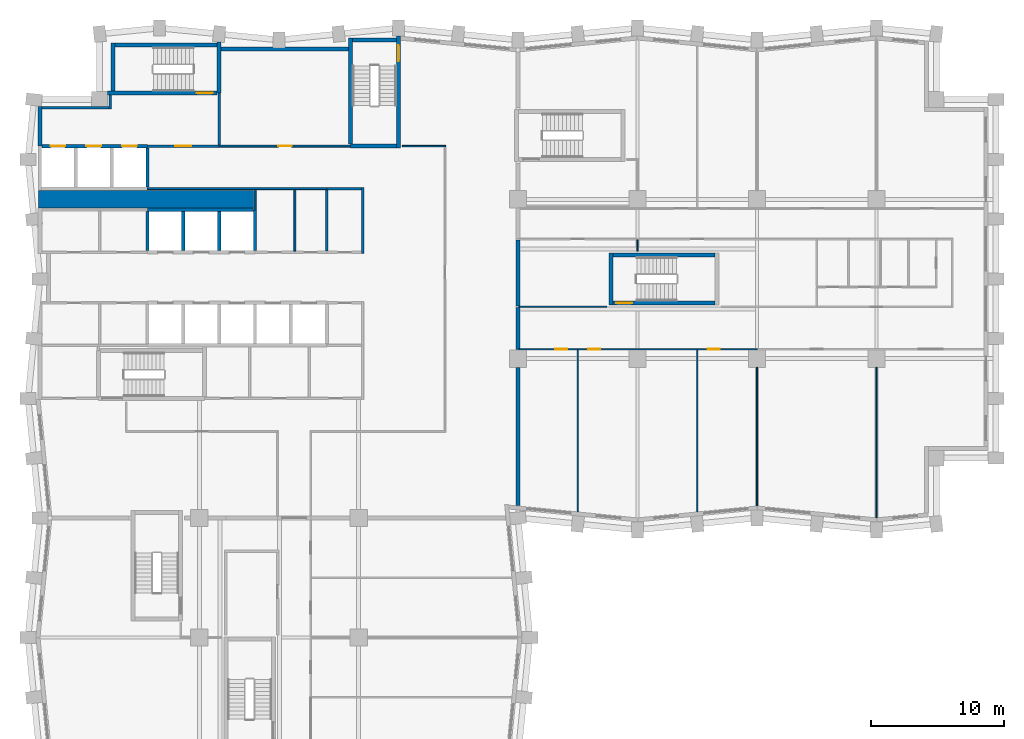
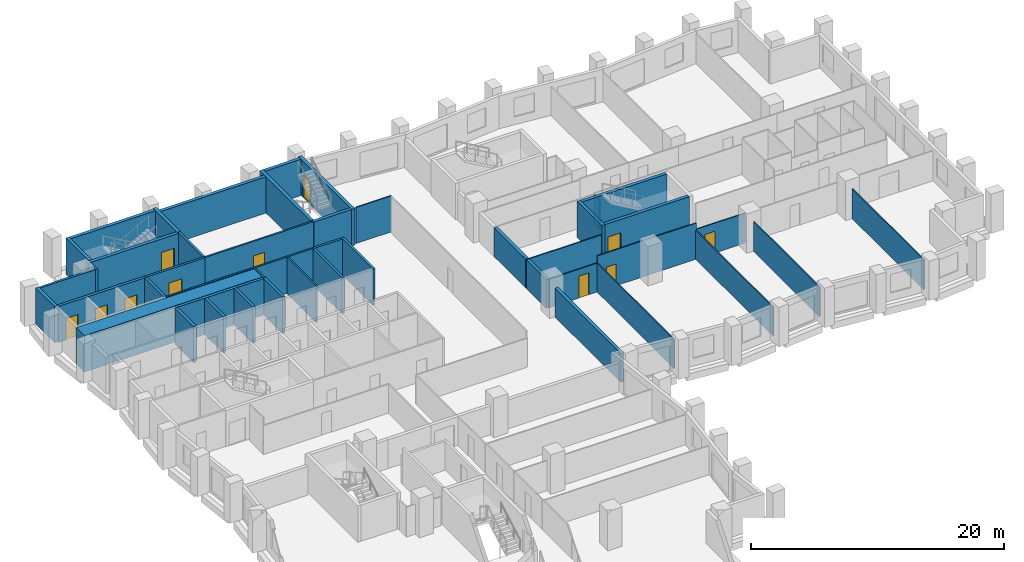
# One storey, part 6 of 11: 45 walls, 11 doors, 11 openings.
"""IFC4 building model written with IfcOpenShell, lengths in metres."""

from ifc_helpers import new_model, si_unit, direction, frame, frame_2d, origin, place, context, subcontext, project, spatial, rectangle, extrude, material, layer, layer_set, type_object, element, fill, save


model = new_model("IFC4")

# Units and contexts
model_context = context("Model", 3, precision=1e-05, world=origin(), true_north=direction((0.0, 1.0)))
body_context = subcontext(model_context, "Body", "Model", "MODEL_VIEW")
ifc_project = project(units=[si_unit("LENGTHUNIT", "METRE"), si_unit("AREAUNIT", "SQUARE_METRE"), si_unit("VOLUMEUNIT", "CUBIC_METRE"), si_unit("PLANEANGLEUNIT", "RADIAN"), si_unit("MASSUNIT", "GRAM", prefix="KILO")], contexts=[model_context])

# Site, building, storey
site_placement = place(None, origin())
site = spatial("IfcSite", under=ifc_project, at=site_placement, CompositionType="ELEMENT")
building_placement = place(site_placement, origin())
building = spatial("IfcBuilding", under=site, at=building_placement, Name="Brondeck Convention Tower", CompositionType="ELEMENT")
storey_placement = place(building_placement, frame((0.0, 0.0, 122.699951171875)))
storey = spatial("IfcBuildingStorey", under=building, at=storey_placement, Name="L29", CompositionType="ELEMENT", Elevation=122.699951171875)

# Walls
ifc_material_1 = material(Name="Concrete compartment wall C30/37", Category="concrete")
ifc_layer_1 = layer(ifc_material_1, 0.300048828125)
ifc_layer_set_1 = layer_set([ifc_layer_1], Name="Compartment wall 300")
wall_type_1 = type_object("IfcWallType", Name="Compartment wall 300", PredefinedType="PARTITIONING", material=ifc_layer_set_1)
wall_1_placement = place(storey_placement, frame((36.0, 27.924560546875, 0.0), z_axis=(0.0, 0.0, 1.0), x_axis=(0.0, 1.0, 0.0)))
element("IfcWall", 1, at=wall_1_placement, inside=storey, type_object=wall_type_1, Name="FLR-L29-W026", PredefinedType="PARTITIONING", context=body_context, shape_type="SweptSolid", body=[
    extrude(rectangle(XDim=10.42041015625, YDim=0.300048828125, at=frame_2d((5.210205078125, 0.0))), origin(), (0.0, 0.0, 1.0), 2.780029296875),
])
wall_2_placement = place(storey_placement, frame((36.0, 39.669921875, 0.0), z_axis=(0.0, 0.0, 1.0), x_axis=(0.0, 1.0, 0.0)))
element("IfcWall", 2, at=wall_2_placement, inside=storey, type_object=wall_type_1, Name="FLR-L29-W040", PredefinedType="PARTITIONING", context=body_context, shape_type="SweptSolid", body=[
    extrude(rectangle(XDim=3.18017578125, YDim=0.300048828125, at=frame_2d((1.590087890625, 0.0))), origin(), (0.0, 0.0, 1.0), 2.780029296875),
])
wall_3_placement = place(storey_placement, frame((36.0, 42.949951171875, 0.0), z_axis=(0.0, 0.0, 1.0), x_axis=(0.0, 1.0, 0.0)))
element("IfcWall", 3, at=wall_3_placement, inside=storey, type_object=wall_type_1, Name="FLR-L29-W044", PredefinedType="PARTITIONING", context=body_context, shape_type="SweptSolid", body=[
    extrude(rectangle(XDim=5.0, YDim=0.300048828125, at=frame_2d((2.5, 0.0))), origin(), (0.0, 0.0, 1.0), 2.780029296875),
])
ifc_material_2 = material(Name="Concrete C70/85", Category="concrete")
ifc_layer_2 = layer(ifc_material_2, 0.199951171875)
ifc_layer_set_2 = layer_set([ifc_layer_2], Name="Core beam-seat wall 200 Concrete C70/85")
wall_type_2 = type_object("IfcWallType", Name="Core beam-seat wall 200 Concrete C70/85", PredefinedType="SHEAR", material=ifc_layer_set_2)
wall_4_placement = place(storey_placement, frame((24.300048828125, 46.89990234375, 0.0), z_axis=(0.0, 0.0, 1.0), x_axis=(0.0, 1.0, 0.0)))
element("IfcWall", 4, at=wall_4_placement, inside=storey, type_object=wall_type_2, Name="L29 core wall", PredefinedType="SHEAR", context=body_context, shape_type="SweptSolid", body=[
    extrude(rectangle(XDim=5.0, YDim=0.199951171875, at=frame_2d((2.5, 0.0))), origin(), (0.0, 0.0, 1.0), 3.5),
])
ifc_layer_3 = layer(ifc_material_2, 0.300048828125)
ifc_layer_set_3 = layer_set([ifc_layer_3], Name="Core outer wall 300 Concrete C70/85")
wall_type_3 = type_object("IfcWallType", Name="Core outer wall 300 Concrete C70/85", PredefinedType="SHEAR", material=ifc_layer_set_3)
wall_5_placement = place(storey_placement, frame((13.64990234375, 62.300048828125, 0.0), z_axis=(0.0, 0.0, 1.0), x_axis=(1.0, 0.0, 0.0)))
element("IfcWall", 5, at=wall_5_placement, inside=storey, type_object=wall_type_3, Name="L29 core wall", PredefinedType="SHEAR", context=body_context, shape_type="SweptSolid", body=[
    extrude(rectangle(XDim=9.60009765625, YDim=0.300048828125, at=frame_2d((4.800048828125, 0.0))), origin(), (0.0, 0.0, 1.0), 3.5),
])
wall_6_placement = place(storey_placement, frame((0.0, 55.0, 0.0), z_axis=(0.0, 0.0, 1.0), x_axis=(0.0, 1.0, 0.0)))
element("IfcWall", 6, at=wall_6_placement, inside=storey, type_object=wall_type_3, Name="L29 core wall", PredefinedType="SHEAR", context=body_context, shape_type="SweptSolid", body=[
    extrude(rectangle(XDim=3.0, YDim=0.300048828125, at=frame_2d((1.5, 0.0))), origin(), (0.0, 0.0, 1.0), 3.5),
])
ifc_material_3 = material(Name="Fire-rated gypsum board partition")
ifc_layer_4 = layer(ifc_material_3, 0.14990234375)
ifc_layer_set_4 = layer_set([ifc_layer_4], Name="Core partition 150 EI 60")
wall_type_4 = type_object("IfcWallType", Name="Core partition 150 EI 60", PredefinedType="PARTITIONING", material=ifc_layer_set_4)
wall_7_placement = place(storey_placement, frame((8.10009765625, 51.800048828125, 0.0), z_axis=(0.0, 0.0, 1.0), x_axis=(1.0, 0.0, 0.0)))
element("IfcWall", 7, at=wall_7_placement, inside=storey, type_object=wall_type_4, Name="L29 core wall", PredefinedType="PARTITIONING", context=body_context, shape_type="SweptSolid", body=[
    extrude(rectangle(XDim=13.5, YDim=0.14990234375, at=frame_2d((6.75, 0.0))), origin(), (0.0, 0.0, 1.0), 3.5),
])

# Wall, opening, door
wall_8_placement = place(storey_placement, frame((13.5, 55.0, 0.0), z_axis=(0.0, 0.0, 1.0), x_axis=(1.0, 0.0, 0.0)))
wall_8 = element("IfcWall", 8, at=wall_8_placement, inside=storey, type_object=wall_type_4, Name="L29 core wall", PredefinedType="PARTITIONING", context=body_context, shape_type="SweptSolid", body=[
    extrude(rectangle(XDim=9.89990234375, YDim=0.14990234375, at=frame_2d((4.949951171875, 0.0))), origin(), (0.0, 0.0, 1.0), 3.5),
])
opening_1_placement = place(wall_8_placement, frame((4.449951171875, 0.0, 0.0)))
opening_1 = element("IfcOpeningElement", 9, at=opening_1_placement, cuts=wall_8, Name="Opening C17-14", PredefinedType="OPENING", context=body_context, shape_type="SweptSolid", body=[
    extrude(rectangle(XDim=1.0, YDim=2.10009765625, at=frame_2d((0.5, 1.050048828125))), frame((0.0, 0.0849609375, 0.0), z_axis=(0.0, -1.0, 0.0), x_axis=(1.0, 0.0, 0.0)), (0.0, 0.0, 1.0), 0.169921875),
])
ifc_material_4 = material(Name="Steel fire door", Category="steel")
door_type_1 = type_object("IfcDoorType", Name="Room door 1000x2100 EI 60", OperationType="NOTDEFINED", PredefinedType="DOOR", material=ifc_material_4)
door_1_placement = place(opening_1_placement, origin())
door_1 = element("IfcDoor", 10, at=door_1_placement, inside=storey, type_object=door_type_1, Name="L29 Room door NE-1", OperationType="SINGLE_SWING_LEFT", OverallHeight=2.10009765625, OverallWidth=1.0, PredefinedType="DOOR", context=body_context, shape_type="SweptSolid", body=[
    extrude(rectangle(XDim=1.0, YDim=2.10009765625, at=frame_2d((0.5, 1.050048828125))), frame((0.0, 0.02490234375, 0.0), z_axis=(0.0, -1.0, 0.0), x_axis=(1.0, 0.0, 0.0)), (0.0, 0.0, 1.0), 0.050048828125),
])
fill(opening_1, door_1)

# Walls
wall_9_placement = place(storey_placement, frame((16.199951171875, 50.199951171875, 0.0), z_axis=(0.0, 0.0, 1.0), x_axis=(0.0, 1.0, 0.0)))
element("IfcWall", 11, at=wall_9_placement, inside=storey, type_object=wall_type_4, Name="L29 core wall", PredefinedType="PARTITIONING", context=body_context, shape_type="SweptSolid", body=[
    extrude(rectangle(XDim=1.525146484375, YDim=0.14990234375, at=frame_2d((0.7626953125, 0.0))), origin(), (0.0, 0.0, 1.0), 3.5),
])
wall_10_placement = place(storey_placement, frame((19.199951171875, 47.10009765625, 0.0), z_axis=(0.0, 0.0, 1.0), x_axis=(0.0, 1.0, 0.0)))
element("IfcWall", 12, at=wall_10_placement, inside=storey, type_object=wall_type_4, Name="L29 core wall", PredefinedType="PARTITIONING", context=body_context, shape_type="SweptSolid", body=[
    extrude(rectangle(XDim=4.625, YDim=0.14990234375, at=frame_2d((2.3125, 0.0))), origin(), (0.0, 0.0, 1.0), 3.5),
])
ifc_layer_5 = layer(ifc_material_2, 1.300048828125)
ifc_layer_set_5 = layer_set([ifc_layer_5], Name="Core shear wall 1300 Concrete C70/85")
wall_type_5 = type_object("IfcWallType", Name="Core shear wall 1300 Concrete C70/85", PredefinedType="SHEAR", material=ifc_layer_set_5)
wall_11_placement = place(storey_placement, frame((-0.125, 51.0, 0.0), z_axis=(0.0, 0.0, 1.0), x_axis=(1.0, 0.0, 0.0)))
element("IfcWall", 13, at=wall_11_placement, inside=storey, type_object=wall_type_5, Name="L29 core wall", PredefinedType="SHEAR", context=body_context, shape_type="SweptSolid", body=[
    extrude(rectangle(XDim=16.22509765625, YDim=1.300048828125, at=frame_2d((8.112548828125, 0.0))), origin(), (0.0, 0.0, 1.0), 3.5),
])

# Wall, opening, door
ifc_layer_6 = layer(ifc_material_3, 0.199951171875)
ifc_layer_set_6 = layer_set([ifc_layer_6], Name="Firefighting lobby wall 200 EI 120")
wall_type_6 = type_object("IfcWallType", Name="Firefighting lobby wall 200 EI 120", PredefinedType="PARTITIONING", material=ifc_layer_set_6)
wall_12_placement = place(storey_placement, frame((8.10009765625, 55.0, 0.0), z_axis=(0.0, 0.0, 1.0), x_axis=(1.0, 0.0, 0.0)))
wall_12 = element("IfcWall", 14, at=wall_12_placement, inside=storey, type_object=wall_type_6, Name="L29 core wall", PredefinedType="PARTITIONING", context=body_context, shape_type="SweptSolid", body=[
    extrude(rectangle(XDim=5.39990234375, YDim=0.199951171875, at=frame_2d((2.699951171875, 0.0))), origin(), (0.0, 0.0, 1.0), 3.5),
])
opening_2_placement = place(wall_12_placement, frame((2.10009765625, 0.0, 0.0)))
opening_2 = element("IfcOpeningElement", 15, at=opening_2_placement, cuts=wall_12, Name="Opening C17-01", PredefinedType="OPENING", context=body_context, shape_type="SweptSolid", body=[
    extrude(rectangle(XDim=1.199951171875, YDim=2.199951171875, at=frame_2d((0.60009765625, 1.10009765625))), frame((0.0, 0.10986328125, 0.0), z_axis=(0.0, -1.0, 0.0), x_axis=(1.0, 0.0, 0.0)), (0.0, 0.0, 1.0), 0.219970703125),
])
door_type_2 = type_object("IfcDoorType", Name="Firefighting lobby door 1200x2200 EI 120", OperationType="NOTDEFINED", PredefinedType="DOOR", material=ifc_material_4)
door_2_placement = place(opening_2_placement, origin())
door_2 = element("IfcDoor", 16, at=door_2_placement, inside=storey, type_object=door_type_2, Name="L29 Firefighting lobby door FFL-1", OperationType="SINGLE_SWING_RIGHT", OverallHeight=2.199951171875, OverallWidth=1.199951171875, PredefinedType="DOOR", context=body_context, shape_type="SweptSolid", body=[
    extrude(rectangle(XDim=1.199951171875, YDim=2.199951171875, at=frame_2d((0.60009765625, 1.10009765625))), frame((0.0, 0.02490234375, 0.0), z_axis=(0.0, -1.0, 0.0), x_axis=(1.0, 0.0, 0.0)), (0.0, 0.0, 1.0), 0.050048828125),
])
fill(opening_2, door_2)

# Walls
wall_13_placement = place(storey_placement, frame((0.14990234375, 57.89990234375, 0.0), z_axis=(0.0, 0.0, 1.0), x_axis=(1.0, 0.0, 0.0)))
element("IfcWall", 17, at=wall_13_placement, inside=storey, type_object=wall_type_6, Name="L29 core wall", PredefinedType="PARTITIONING", context=body_context, shape_type="SweptSolid", body=[
    extrude(rectangle(XDim=5.050048828125, YDim=0.199951171875, at=frame_2d((2.52490234375, 0.0))), origin(), (0.0, 0.0, 1.0), 3.5),
])
wall_14_placement = place(storey_placement, frame((5.300048828125, 57.800048828125, 0.0), z_axis=(0.0, 0.0, 1.0), x_axis=(0.0, 1.0, 0.0)))
element("IfcWall", 18, at=wall_14_placement, inside=storey, type_object=wall_type_6, Name="L29 core wall", PredefinedType="PARTITIONING", context=body_context, shape_type="SweptSolid", body=[
    extrude(rectangle(XDim=1.050048828125, YDim=0.199951171875, at=frame_2d((0.52490234375, 0.0))), origin(), (0.0, 0.0, 1.0), 3.5),
])
wall_15_placement = place(storey_placement, frame((13.5, 55.10009765625, 0.0), z_axis=(0.0, 0.0, 1.0), x_axis=(0.0, 1.0, 0.0)))
element("IfcWall", 19, at=wall_15_placement, inside=storey, type_object=wall_type_6, Name="L29 core wall", PredefinedType="PARTITIONING", context=body_context, shape_type="SweptSolid", body=[
    extrude(rectangle(XDim=3.89990234375, YDim=0.199951171875, at=frame_2d((1.949951171875, 0.0))), origin(), (0.0, 0.0, 1.0), 3.5),
])
ifc_layer_7 = layer(ifc_material_2, 0.25)
ifc_layer_set_7 = layer_set([ifc_layer_7], Name="Lift shaft wall 250 Concrete C70/85")
wall_type_7 = type_object("IfcWallType", Name="Lift shaft wall 250 Concrete C70/85", PredefinedType="SHEAR", material=ifc_layer_set_7)
wall_16_placement = place(storey_placement, frame((8.10009765625, 50.199951171875, 0.0), z_axis=(0.0, 0.0, 1.0), x_axis=(1.0, 0.0, 0.0)))
element("IfcWall", 20, at=wall_16_placement, inside=storey, type_object=wall_type_7, Name="L29 core wall", PredefinedType="SHEAR", context=body_context, shape_type="SweptSolid", body=[
    extrude(rectangle(XDim=7.974853515625, YDim=0.25, at=frame_2d((3.9873046875, 0.0))), origin(), (0.0, 0.0, 1.0), 3.5),
])

# Wall, openings, doors
wall_17_placement = place(storey_placement, frame((0.14990234375, 55.0, 0.0), z_axis=(0.0, 0.0, 1.0), x_axis=(1.0, 0.0, 0.0)))
wall_17 = element("IfcWall", 21, at=wall_17_placement, inside=storey, type_object=wall_type_7, Name="L29 core wall", PredefinedType="SHEAR", context=body_context, shape_type="SweptSolid", body=[
    extrude(rectangle(XDim=7.9501953125, YDim=0.25, at=frame_2d((3.97509765625, 0.0))), origin(), (0.0, 0.0, 1.0), 3.5),
])
opening_3_placement = place(wall_17_placement, frame((0.64990234375, 0.0, 0.0)))
opening_3 = element("IfcOpeningElement", 22, at=opening_3_placement, cuts=wall_17, Name="Opening C17-22", PredefinedType="OPENING", context=body_context, shape_type="SweptSolid", body=[
    extrude(rectangle(XDim=1.10009765625, YDim=2.10009765625, at=frame_2d((0.550048828125, 1.050048828125))), frame((0.0, 0.135009765625, 0.0), z_axis=(0.0, -1.0, 0.0), x_axis=(1.0, 0.0, 0.0)), (0.0, 0.0, 1.0), 0.27001953125),
])
opening_4_placement = place(wall_17_placement, frame((3.35009765625, 0.0, 0.0)))
opening_4 = element("IfcOpeningElement", 23, at=opening_4_placement, cuts=wall_17, Name="Opening C17-23", PredefinedType="OPENING", context=body_context, shape_type="SweptSolid", body=[
    extrude(rectangle(XDim=1.10009765625, YDim=2.10009765625, at=frame_2d((0.550048828125, 1.050048828125))), frame((0.0, 0.135009765625, 0.0), z_axis=(0.0, -1.0, 0.0), x_axis=(1.0, 0.0, 0.0)), (0.0, 0.0, 1.0), 0.27001953125),
])
opening_5_placement = place(wall_17_placement, frame((6.050048828125, 0.0, 0.0)))
opening_5 = element("IfcOpeningElement", 24, at=opening_5_placement, cuts=wall_17, Name="Opening C17-24", PredefinedType="OPENING", context=body_context, shape_type="SweptSolid", body=[
    extrude(rectangle(XDim=1.10009765625, YDim=2.10009765625, at=frame_2d((0.550048828125, 1.050048828125))), frame((0.0, 0.135009765625, 0.0), z_axis=(0.0, -1.0, 0.0), x_axis=(1.0, 0.0, 0.0)), (0.0, 0.0, 1.0), 0.27001953125),
])
ifc_material_5 = material(Name="Stainless steel lift door", Category="steel")
door_type_3 = type_object("IfcDoorType", Name="Lift landing door 1100x2100 EI 180", OperationType="DOUBLE_DOOR_SLIDING", PredefinedType="DOOR", material=ifc_material_5)
door_3_placement = place(opening_3_placement, origin())
door_3 = element("IfcDoor", 25, at=door_3_placement, inside=storey, type_object=door_type_3, Name="L29 Lift landing door FF1", OperationType="DOUBLE_DOOR_SLIDING", OverallHeight=2.10009765625, OverallWidth=1.10009765625, PredefinedType="DOOR", context=body_context, shape_type="SweptSolid", body=[
    extrude(rectangle(XDim=1.10009765625, YDim=2.10009765625, at=frame_2d((0.550048828125, 1.050048828125))), frame((0.0, 0.02490234375, 0.0), z_axis=(0.0, -1.0, 0.0), x_axis=(1.0, 0.0, 0.0)), (0.0, 0.0, 1.0), 0.050048828125),
])
fill(opening_3, door_3)
door_4_placement = place(opening_4_placement, origin())
door_4 = element("IfcDoor", 26, at=door_4_placement, inside=storey, type_object=door_type_3, Name="L29 Lift landing door FF2", OperationType="DOUBLE_DOOR_SLIDING", OverallHeight=2.10009765625, OverallWidth=1.10009765625, PredefinedType="DOOR", context=body_context, shape_type="SweptSolid", body=[
    extrude(rectangle(XDim=1.10009765625, YDim=2.10009765625, at=frame_2d((0.550048828125, 1.050048828125))), frame((0.0, 0.02490234375, 0.0), z_axis=(0.0, -1.0, 0.0), x_axis=(1.0, 0.0, 0.0)), (0.0, 0.0, 1.0), 0.050048828125),
])
fill(opening_4, door_4)
door_5_placement = place(opening_5_placement, origin())
door_5 = element("IfcDoor", 27, at=door_5_placement, inside=storey, type_object=door_type_3, Name="L29 Lift landing door FF3", OperationType="DOUBLE_DOOR_SLIDING", OverallHeight=2.10009765625, OverallWidth=1.10009765625, PredefinedType="DOOR", context=body_context, shape_type="SweptSolid", body=[
    extrude(rectangle(XDim=1.10009765625, YDim=2.10009765625, at=frame_2d((0.550048828125, 1.050048828125))), frame((0.0, 0.02490234375, 0.0), z_axis=(0.0, -1.0, 0.0), x_axis=(1.0, 0.0, 0.0)), (0.0, 0.0, 1.0), 0.050048828125),
])
fill(opening_5, door_5)

# Walls
for number, where, z_axis, x_axis, name in (
    (28, (8.10009765625, 47.125, 0.0), (0.0, 0.0, 1.0), (0.0, 1.0, 0.0), "L29 core wall"),
    (29, (8.10009765625, 51.925048828125, 0.0), (0.0, 0.0, 1.0), (0.0, 1.0, 0.0), "L29 core wall"),
    (30, (10.800048828125, 47.125, 0.0), (0.0, 0.0, 1.0), (0.0, 1.0, 0.0), "L29 core wall"),
    (31, (13.5, 47.125, 0.0), (0.0, 0.0, 1.0), (0.0, 1.0, 0.0), "L29 core wall"),
):
    element("IfcWall", number, at=place(storey_placement, frame(where, z_axis=z_axis, x_axis=x_axis)), inside=storey, type_object=wall_type_7, Name=name, PredefinedType="SHEAR", context=body_context, shape_type="SweptSolid", body=[
        extrude(rectangle(XDim=2.949951171875, YDim=0.25, at=frame_2d((1.47509765625, 0.0))), origin(), (0.0, 0.0, 1.0), 3.5),
    ])
wall_18_placement = place(storey_placement, frame((16.199951171875, 47.125, 0.0), z_axis=(0.0, 0.0, 1.0), x_axis=(0.0, 1.0, 0.0)))
element("IfcWall", 32, at=wall_18_placement, inside=storey, type_object=wall_type_7, Name="L29 core wall", PredefinedType="SHEAR", context=body_context, shape_type="SweptSolid", body=[
    extrude(rectangle(XDim=3.074951171875, YDim=0.25, at=frame_2d((1.53759765625, 0.0))), origin(), (0.0, 0.0, 1.0), 3.5),
])
ifc_layer_8 = layer(ifc_material_3, 0.199951171875)
ifc_layer_set_8 = layer_set([ifc_layer_8], Name="Riser wall 200 EI 120")
wall_type_8 = type_object("IfcWallType", Name="Riser wall 200 EI 120", PredefinedType="PARTITIONING", material=ifc_layer_set_8)
wall_19_placement = place(storey_placement, frame((21.60009765625, 51.800048828125, 0.0), z_axis=(0.0, 0.0, 1.0), x_axis=(1.0, 0.0, 0.0)))
element("IfcWall", 33, at=wall_19_placement, inside=storey, type_object=wall_type_8, Name="L29 core wall", PredefinedType="PARTITIONING", context=body_context, shape_type="SweptSolid", body=[
    extrude(rectangle(XDim=2.599853515625, YDim=0.199951171875, at=frame_2d((1.2998046875, 0.0))), origin(), (0.0, 0.0, 1.0), 3.5),
])
wall_20_placement = place(storey_placement, frame((21.60009765625, 47.10009765625, 0.0), z_axis=(0.0, 0.0, 1.0), x_axis=(0.0, 1.0, 0.0)))
element("IfcWall", 34, at=wall_20_placement, inside=storey, type_object=wall_type_8, Name="L29 core wall", PredefinedType="PARTITIONING", context=body_context, shape_type="SweptSolid", body=[
    extrude(rectangle(XDim=4.599853515625, YDim=0.199951171875, at=frame_2d((2.2998046875, 0.0))), origin(), (0.0, 0.0, 1.0), 3.5),
])
ifc_material_6 = material(Name="Gypsum board partition on steel studs", Category="steel")
ifc_layer_9 = layer(ifc_material_6, 0.10009765625)
ifc_layer_set_9 = layer_set([ifc_layer_9], Name="Room partition 100")
wall_type_9 = type_object("IfcWallType", Name="Room partition 100", PredefinedType="PARTITIONING", material=ifc_layer_set_9)
wall_21_placement = place(storey_placement, frame((54.0, 38.344970703125, 0.0), z_axis=(0.0, 0.0, 1.0), x_axis=(0.0, -1.0, 0.0)))
element("IfcWall", 35, at=wall_21_placement, inside=storey, type_object=wall_type_9, Name="FLR-L29-W031", PredefinedType="PARTITIONING", context=body_context, shape_type="SweptSolid", body=[
    extrude(rectangle(XDim=10.42041015625, YDim=0.10009765625, at=frame_2d((5.210205078125, 0.0))), origin(), (0.0, 0.0, 1.0), 2.880126953125),
])
wall_22_placement = place(storey_placement, frame((63.0, 38.344970703125, 0.0), z_axis=(0.0, 0.0, 1.0), x_axis=(0.0, -1.0, 0.0)))
element("IfcWall", 36, at=wall_22_placement, inside=storey, type_object=wall_type_9, Name="FLR-L29-W032", PredefinedType="PARTITIONING", context=body_context, shape_type="SweptSolid", body=[
    extrude(rectangle(XDim=11.320556640625, YDim=0.10009765625, at=frame_2d((5.66015625, 0.0))), origin(), (0.0, 0.0, 1.0), 2.880126953125),
])
for number, where, z_axis, x_axis, name in (
    (37, (40.5, 39.64990234375, 0.0), (0.0, 0.0, 1.0), (0.0, -1.0, 0.0), "FLR-L29-W033"),
    (38, (49.5, 39.64990234375, 0.0), (0.0, 0.0, 1.0), (0.0, -1.0, 0.0), "FLR-L29-W034"),
):
    element("IfcWall", number, at=place(storey_placement, frame(where, z_axis=z_axis, x_axis=x_axis)), inside=storey, type_object=wall_type_9, Name=name, PredefinedType="PARTITIONING", context=body_context, shape_type="SweptSolid", body=[
        extrude(rectangle(XDim=12.17529296875, YDim=0.10009765625, at=frame_2d((6.087646484375, 0.0))), origin(), (0.0, 0.0, 1.0), 2.780029296875),
    ])

# Wall, opening, door
wall_23_placement = place(storey_placement, frame((40.5, 39.699951171875, 0.0), z_axis=(0.0, 0.0, 1.0), x_axis=(-1.0, 0.0, 0.0)))
wall_23 = element("IfcWall", 39, at=wall_23_placement, inside=storey, type_object=wall_type_9, Name="FLR-L29-W035", PredefinedType="PARTITIONING", context=body_context, shape_type="SweptSolid", body=[
    extrude(rectangle(XDim=4.449951171875, YDim=0.10009765625, at=frame_2d((2.22509765625, 0.0))), origin(), (0.0, 0.0, 1.0), 2.780029296875),
])
opening_6_placement = place(wall_23_placement, frame((0.801025390625, 0.0, 0.0)))
opening_6 = element("IfcOpeningElement", 40, at=opening_6_placement, cuts=wall_23, Name="Opening OF-D-009", PredefinedType="OPENING", context=body_context, shape_type="SweptSolid", body=[
    extrude(rectangle(XDim=0.89990234375, YDim=2.10009765625, at=frame_2d((0.449951171875, 1.050048828125))), frame((0.0, 0.06005859375, 0.0), z_axis=(0.0, -1.0, 0.0), x_axis=(1.0, 0.0, 0.0)), (0.0, 0.0, 1.0), 0.1201171875),
])
ifc_material_7 = material(Name="Solid timber door leaf", Category="wood")
door_type_4 = type_object("IfcDoorType", Name="Single door 900", OperationType="NOTDEFINED", PredefinedType="DOOR", material=ifc_material_7)
door_6_placement = place(opening_6_placement, origin())
door_6 = element("IfcDoor", 41, at=door_6_placement, inside=storey, type_object=door_type_4, Name="Door OF-D-009", OperationType="SINGLE_SWING_LEFT", OverallHeight=2.10009765625, OverallWidth=0.89990234375, PredefinedType="DOOR", context=body_context, shape_type="SweptSolid", body=[
    extrude(rectangle(XDim=0.89990234375, YDim=2.10009765625, at=frame_2d((0.449951171875, 1.050048828125))), frame((0.0, 0.02490234375, 0.0), z_axis=(0.0, -1.0, 0.0), x_axis=(1.0, 0.0, 0.0)), (0.0, 0.0, 1.0), 0.050048828125),
])
fill(opening_6, door_6)

wall_24_placement = place(storey_placement, frame((49.5, 39.699951171875, 0.0), z_axis=(0.0, 0.0, 1.0), x_axis=(-1.0, 0.0, 0.0)))
wall_24 = element("IfcWall", 42, at=wall_24_placement, inside=storey, type_object=wall_type_9, Name="FLR-L29-W036", PredefinedType="PARTITIONING", context=body_context, shape_type="SweptSolid", body=[
    extrude(rectangle(XDim=9.0, YDim=0.10009765625, at=frame_2d((4.5, 0.0))), origin(), (0.0, 0.0, 1.0), 3.47998046875),
])
opening_7_placement = place(wall_24_placement, frame((7.299072265625, 0.0, 0.0)))
opening_7 = element("IfcOpeningElement", 43, at=opening_7_placement, cuts=wall_24, Name="Opening OF-D-010", PredefinedType="OPENING", context=body_context, shape_type="SweptSolid", body=[
    extrude(rectangle(XDim=0.89990234375, YDim=2.10009765625, at=frame_2d((0.449951171875, 1.050048828125))), frame((0.0, 0.06005859375, 0.0), z_axis=(0.0, -1.0, 0.0), x_axis=(1.0, 0.0, 0.0)), (0.0, 0.0, 1.0), 0.1201171875),
])
door_7_placement = place(opening_7_placement, origin())
door_7 = element("IfcDoor", 44, at=door_7_placement, inside=storey, type_object=door_type_4, Name="Door OF-D-010", OperationType="SINGLE_SWING_LEFT", OverallHeight=2.10009765625, OverallWidth=0.89990234375, PredefinedType="DOOR", context=body_context, shape_type="SweptSolid", body=[
    extrude(rectangle(XDim=0.89990234375, YDim=2.10009765625, at=frame_2d((0.449951171875, 1.050048828125))), frame((0.0, 0.02490234375, 0.0), z_axis=(0.0, -1.0, 0.0), x_axis=(1.0, 0.0, 0.0)), (0.0, 0.0, 1.0), 0.050048828125),
])
fill(opening_7, door_7)

wall_25_placement = place(storey_placement, frame((54.0, 39.699951171875, 0.0), z_axis=(0.0, 0.0, 1.0), x_axis=(-1.0, 0.0, 0.0)))
wall_25 = element("IfcWall", 45, at=wall_25_placement, inside=storey, type_object=wall_type_9, Name="FLR-L29-W037", PredefinedType="PARTITIONING", context=body_context, shape_type="SweptSolid", body=[
    extrude(rectangle(XDim=4.5, YDim=0.10009765625, at=frame_2d((2.25, 0.0))), origin(), (0.0, 0.0, 1.0), 2.880126953125),
])
opening_8_placement = place(wall_25_placement, frame((2.799072265625, 0.0, 0.0)))
opening_8 = element("IfcOpeningElement", 46, at=opening_8_placement, cuts=wall_25, Name="Opening OF-D-011", PredefinedType="OPENING", context=body_context, shape_type="SweptSolid", body=[
    extrude(rectangle(XDim=0.89990234375, YDim=2.10009765625, at=frame_2d((0.449951171875, 1.050048828125))), frame((0.0, 0.06005859375, 0.0), z_axis=(0.0, -1.0, 0.0), x_axis=(1.0, 0.0, 0.0)), (0.0, 0.0, 1.0), 0.1201171875),
])
door_8_placement = place(opening_8_placement, origin())
door_8 = element("IfcDoor", 47, at=door_8_placement, inside=storey, type_object=door_type_4, Name="Door OF-D-011", OperationType="SINGLE_SWING_LEFT", OverallHeight=2.10009765625, OverallWidth=0.89990234375, PredefinedType="DOOR", context=body_context, shape_type="SweptSolid", body=[
    extrude(rectangle(XDim=0.89990234375, YDim=2.10009765625, at=frame_2d((0.449951171875, 1.050048828125))), frame((0.0, 0.02490234375, 0.0), z_axis=(0.0, -1.0, 0.0), x_axis=(1.0, 0.0, 0.0)), (0.0, 0.0, 1.0), 0.050048828125),
])
fill(opening_8, door_8)

# Walls
wall_26_placement = place(storey_placement, frame((36.050048828125, 42.89990234375, 0.0), z_axis=(0.0, 0.0, 1.0), x_axis=(1.0, 0.0, 0.0)))
element("IfcWall", 48, at=wall_26_placement, inside=storey, type_object=wall_type_9, Name="FLR-L29-W041", PredefinedType="PARTITIONING", context=body_context, shape_type="SweptSolid", body=[
    extrude(rectangle(XDim=6.64990234375, YDim=0.10009765625, at=frame_2d((3.324951171875, 0.0))), origin(), (0.0, 0.0, 1.0), 2.780029296875),
])
wall_27_placement = place(storey_placement, frame((45.0, 47.949951171875, 0.0), z_axis=(0.0, 0.0, 1.0), x_axis=(0.0, -1.0, 0.0)))
element("IfcWall", 49, at=wall_27_placement, inside=storey, type_object=wall_type_9, Name="FLR-L29-W052", PredefinedType="PARTITIONING", context=body_context, shape_type="SweptSolid", body=[
    extrude(rectangle(XDim=0.849853515625, YDim=0.10009765625, at=frame_2d((0.4248046875, 0.0))), origin(), (0.0, 0.0, 1.0), 2.780029296875),
])
wall_28_placement = place(storey_placement, frame((27.300048828125, 55.0, 0.0), z_axis=(0.0, 0.0, 1.0), x_axis=(1.0, 0.0, 0.0)))
element("IfcWall", 50, at=wall_28_placement, inside=storey, type_object=wall_type_9, Name="FLR-L29-W075", PredefinedType="PARTITIONING", context=body_context, shape_type="SweptSolid", body=[
    extrude(rectangle(XDim=3.25, YDim=0.10009765625, at=frame_2d((1.625, 0.0))), origin(), (0.0, 0.0, 1.0), 3.47998046875),
])

# Wall, opening, door
ifc_layer_10 = layer(ifc_material_2, 0.300048828125)
ifc_layer_set_10 = layer_set([ifc_layer_10], Name="Stair enclosure wall 300 Concrete C70/85")
wall_type_10 = type_object("IfcWallType", Name="Stair enclosure wall 300 Concrete C70/85", PredefinedType="SHEAR", material=ifc_layer_set_10)
wall_29_placement = place(storey_placement, frame((43.14990234375, 43.199951171875, 0.0), z_axis=(0.0, 0.0, 1.0), x_axis=(1.0, 0.0, 0.0)))
wall_29 = element("IfcWall", 51, at=wall_29_placement, inside=storey, type_object=wall_type_10, Name="L29 core wall", PredefinedType="SHEAR", context=body_context, shape_type="SweptSolid", body=[
    extrude(rectangle(XDim=7.7001953125, YDim=0.300048828125, at=frame_2d((3.85009765625, 0.0))), origin(), (0.0, 0.0, 1.0), 3.5),
])
opening_9_placement = place(wall_29_placement, frame((0.25, 0.0, 0.0)))
opening_9 = element("IfcOpeningElement", 52, at=opening_9_placement, cuts=wall_29, Name="Opening C17-19", PredefinedType="OPENING", context=body_context, shape_type="SweptSolid", body=[
    extrude(rectangle(XDim=1.199951171875, YDim=2.199951171875, at=frame_2d((0.60009765625, 1.10009765625))), frame((0.0, 0.159912109375, 0.0), z_axis=(0.0, -1.0, 0.0), x_axis=(1.0, 0.0, 0.0)), (0.0, 0.0, 1.0), 0.320068359375),
])
door_type_5 = type_object("IfcDoorType", Name="Stair door 1200x2200 EI 90", OperationType="NOTDEFINED", PredefinedType="DOOR", material=ifc_material_4)
door_9_placement = place(opening_9_placement, origin())
door_9 = element("IfcDoor", 53, at=door_9_placement, inside=storey, type_object=door_type_5, Name="L29 Stair door ST-AF", OperationType="SINGLE_SWING_RIGHT", OverallHeight=2.199951171875, OverallWidth=1.199951171875, PredefinedType="DOOR", context=body_context, shape_type="SweptSolid", body=[
    extrude(rectangle(XDim=1.199951171875, YDim=2.199951171875, at=frame_2d((0.60009765625, 1.10009765625))), frame((0.0, 0.02490234375, 0.0), z_axis=(0.0, -1.0, 0.0), x_axis=(1.0, 0.0, 0.0)), (0.0, 0.0, 1.0), 0.050048828125),
])
fill(opening_9, door_9)

# Walls
wall_30_placement = place(storey_placement, frame((43.14990234375, 46.800048828125, 0.0), z_axis=(0.0, 0.0, 1.0), x_axis=(1.0, 0.0, 0.0)))
element("IfcWall", 54, at=wall_30_placement, inside=storey, type_object=wall_type_10, Name="L29 core wall", PredefinedType="SHEAR", context=body_context, shape_type="SweptSolid", body=[
    extrude(rectangle(XDim=7.7001953125, YDim=0.300048828125, at=frame_2d((3.85009765625, 0.0))), origin(), (0.0, 0.0, 1.0), 3.5),
])
wall_31_placement = place(storey_placement, frame((23.39990234375, 55.0, 0.0), z_axis=(0.0, 0.0, 1.0), x_axis=(1.0, 0.0, 0.0)))
element("IfcWall", 55, at=wall_31_placement, inside=storey, type_object=wall_type_10, Name="L29 core wall", PredefinedType="SHEAR", context=body_context, shape_type="SweptSolid", body=[
    extrude(rectangle(XDim=3.4501953125, YDim=0.300048828125, at=frame_2d((1.72509765625, 0.0))), origin(), (0.0, 0.0, 1.0), 3.5),
])

# Wall, opening, door
wall_32_placement = place(storey_placement, frame((5.10009765625, 59.0, 0.0), z_axis=(0.0, 0.0, 1.0), x_axis=(1.0, 0.0, 0.0)))
wall_32 = element("IfcWall", 56, at=wall_32_placement, inside=storey, type_object=wall_type_10, Name="L29 core wall", PredefinedType="SHEAR", context=body_context, shape_type="SweptSolid", body=[
    extrude(rectangle(XDim=8.25, YDim=0.300048828125, at=frame_2d((4.125, 0.0))), origin(), (0.0, 0.0, 1.0), 3.5),
])
opening_10_placement = place(wall_32_placement, frame((6.699951171875, 0.0, 0.0)))
opening_10 = element("IfcOpeningElement", 57, at=opening_10_placement, cuts=wall_32, Name="Opening C17-17", PredefinedType="OPENING", context=body_context, shape_type="SweptSolid", body=[
    extrude(rectangle(XDim=1.199951171875, YDim=2.199951171875, at=frame_2d((0.60009765625, 1.10009765625))), frame((0.0, 0.159912109375, 0.0), z_axis=(0.0, -1.0, 0.0), x_axis=(1.0, 0.0, 0.0)), (0.0, 0.0, 1.0), 0.320068359375),
])
door_type_6 = type_object("IfcDoorType", Name="Stair door 1200x2200 EI 120", OperationType="NOTDEFINED", PredefinedType="DOOR", material=ifc_material_4)
door_10_placement = place(opening_10_placement, origin())
door_10 = element("IfcDoor", 58, at=door_10_placement, inside=storey, type_object=door_type_6, Name="L29 Stair door ST-3", OperationType="SINGLE_SWING_RIGHT", OverallHeight=2.199951171875, OverallWidth=1.199951171875, PredefinedType="DOOR", context=body_context, shape_type="SweptSolid", body=[
    extrude(rectangle(XDim=1.199951171875, YDim=2.199951171875, at=frame_2d((0.60009765625, 1.10009765625))), frame((0.0, 0.02490234375, 0.0), z_axis=(0.0, -1.0, 0.0), x_axis=(1.0, 0.0, 0.0)), (0.0, 0.0, 1.0), 0.050048828125),
])
fill(opening_10, door_10)

# Walls
wall_33_placement = place(storey_placement, frame((5.64990234375, 62.60009765625, 0.0), z_axis=(0.0, 0.0, 1.0), x_axis=(1.0, 0.0, 0.0)))
element("IfcWall", 59, at=wall_33_placement, inside=storey, type_object=wall_type_10, Name="L29 core wall", PredefinedType="SHEAR", context=body_context, shape_type="SweptSolid", body=[
    extrude(rectangle(XDim=7.7001953125, YDim=0.300048828125, at=frame_2d((3.85009765625, 0.0))), origin(), (0.0, 0.0, 1.0), 3.5),
])
wall_34_placement = place(storey_placement, frame((23.550048828125, 63.0, 0.0), z_axis=(0.0, 0.0, 1.0), x_axis=(1.0, 0.0, 0.0)))
element("IfcWall", 60, at=wall_34_placement, inside=storey, type_object=wall_type_10, Name="L29 core wall", PredefinedType="SHEAR", context=body_context, shape_type="SweptSolid", body=[
    extrude(rectangle(XDim=3.300048828125, YDim=0.300048828125, at=frame_2d((1.64990234375, 0.0))), origin(), (0.0, 0.0, 1.0), 3.5),
])
wall_35_placement = place(storey_placement, frame((5.5, 59.14990234375, 0.0), z_axis=(0.0, 0.0, 1.0), x_axis=(0.0, 1.0, 0.0)))
element("IfcWall", 61, at=wall_35_placement, inside=storey, type_object=wall_type_10, Name="L29 core wall", PredefinedType="SHEAR", context=body_context, shape_type="SweptSolid", body=[
    extrude(rectangle(XDim=3.60009765625, YDim=0.300048828125, at=frame_2d((1.800048828125, 0.0))), origin(), (0.0, 0.0, 1.0), 3.5),
])
wall_36_placement = place(storey_placement, frame((13.5, 59.0, 0.0), z_axis=(0.0, 0.0, 1.0), x_axis=(0.0, 1.0, 0.0)))
element("IfcWall", 62, at=wall_36_placement, inside=storey, type_object=wall_type_10, Name="L29 core wall", PredefinedType="SHEAR", context=body_context, shape_type="SweptSolid", body=[
    extrude(rectangle(XDim=3.846923828125, YDim=0.300048828125, at=frame_2d((1.92333984375, 0.0))), origin(), (0.0, 0.0, 1.0), 3.5),
])
wall_37_placement = place(storey_placement, frame((23.39990234375, 55.14990234375, 0.0), z_axis=(0.0, 0.0, 1.0), x_axis=(0.0, 1.0, 0.0)))
element("IfcWall", 63, at=wall_37_placement, inside=storey, type_object=wall_type_10, Name="L29 core wall", PredefinedType="SHEAR", context=body_context, shape_type="SweptSolid", body=[
    extrude(rectangle(XDim=8.0, YDim=0.300048828125, at=frame_2d((4.0, 0.0))), origin(), (0.0, 0.0, 1.0), 3.5),
])

# Wall, opening, door
wall_38_placement = place(storey_placement, frame((27.0, 54.85009765625, 0.0), z_axis=(0.0, 0.0, 1.0), x_axis=(0.0, 1.0, 0.0)))
wall_38 = element("IfcWall", 64, at=wall_38_placement, inside=storey, type_object=wall_type_10, Name="L29 core wall", PredefinedType="SHEAR", context=body_context, shape_type="SweptSolid", body=[
    extrude(rectangle(XDim=8.449951171875, YDim=0.300048828125, at=frame_2d((4.22509765625, 0.0))), origin(), (0.0, 0.0, 1.0), 3.5),
])
opening_11_placement = place(wall_38_placement, frame((6.550048828125, 0.0, 0.0)))
opening_11 = element("IfcOpeningElement", 65, at=opening_11_placement, cuts=wall_38, Name="Opening C17-16", PredefinedType="OPENING", context=body_context, shape_type="SweptSolid", body=[
    extrude(rectangle(XDim=1.199951171875, YDim=2.199951171875, at=frame_2d((0.60009765625, 1.10009765625))), frame((0.0, 0.159912109375, 0.0), z_axis=(0.0, -1.0, 0.0), x_axis=(1.0, 0.0, 0.0)), (0.0, 0.0, 1.0), 0.320068359375),
])
door_11_placement = place(opening_11_placement, origin())
door_11 = element("IfcDoor", 66, at=door_11_placement, inside=storey, type_object=door_type_5, Name="L29 Stair door ST-2", OperationType="SINGLE_SWING_LEFT", OverallHeight=2.199951171875, OverallWidth=1.199951171875, PredefinedType="DOOR", context=body_context, shape_type="SweptSolid", body=[
    extrude(rectangle(XDim=1.199951171875, YDim=2.199951171875, at=frame_2d((0.60009765625, 1.10009765625))), frame((0.0, 0.02490234375, 0.0), z_axis=(0.0, -1.0, 0.0), x_axis=(1.0, 0.0, 0.0)), (0.0, 0.0, 1.0), 0.050048828125),
])
fill(opening_11, door_11)

# Wall
wall_39_placement = place(storey_placement, frame((43.0, 43.050048828125, 0.0), z_axis=(0.0, 0.0, 1.0), x_axis=(0.0, 1.0, 0.0)))
element("IfcWall", 67, at=wall_39_placement, inside=storey, type_object=wall_type_10, Name="L29 core wall", PredefinedType="SHEAR", context=body_context, shape_type="SweptSolid", body=[
    extrude(rectangle(XDim=3.89990234375, YDim=0.300048828125, at=frame_2d((1.949951171875, 0.0))), origin(), (0.0, 0.0, 1.0), 3.5),
])

save(model, "model.ifc")
